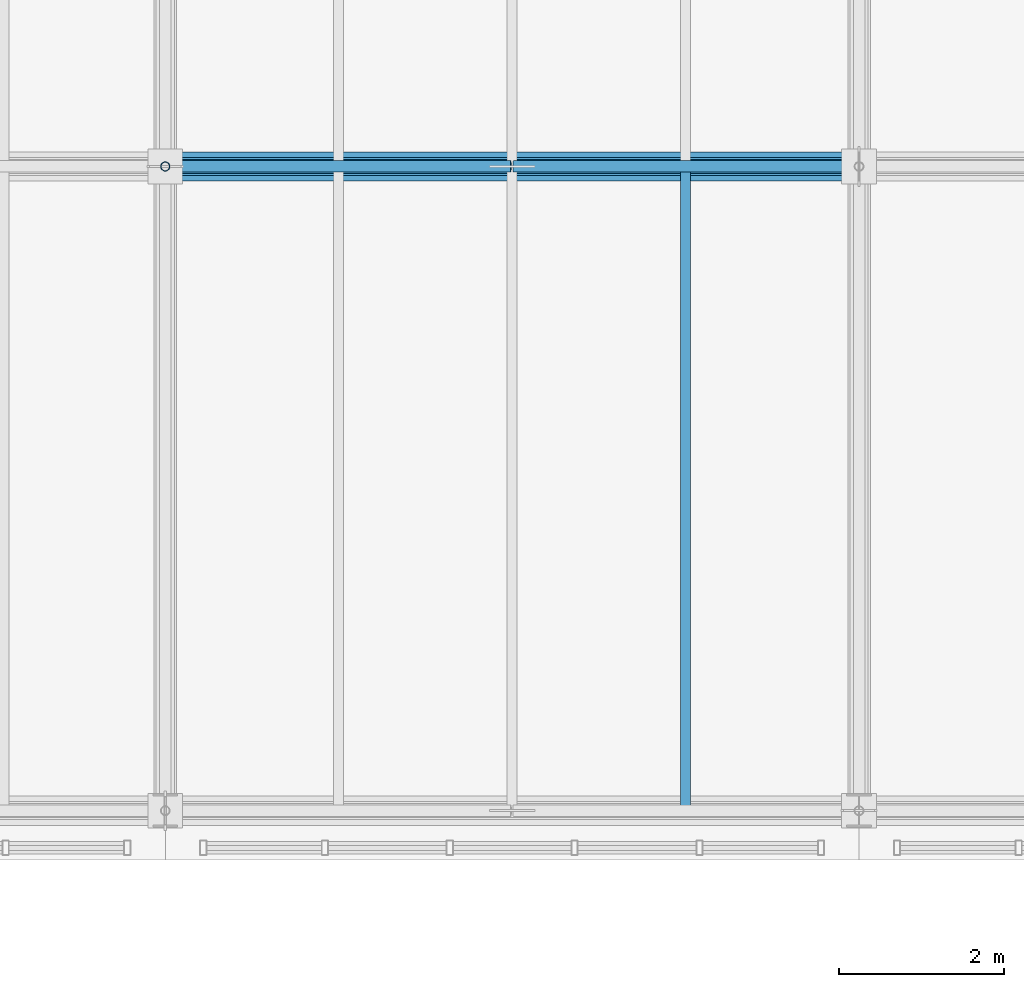
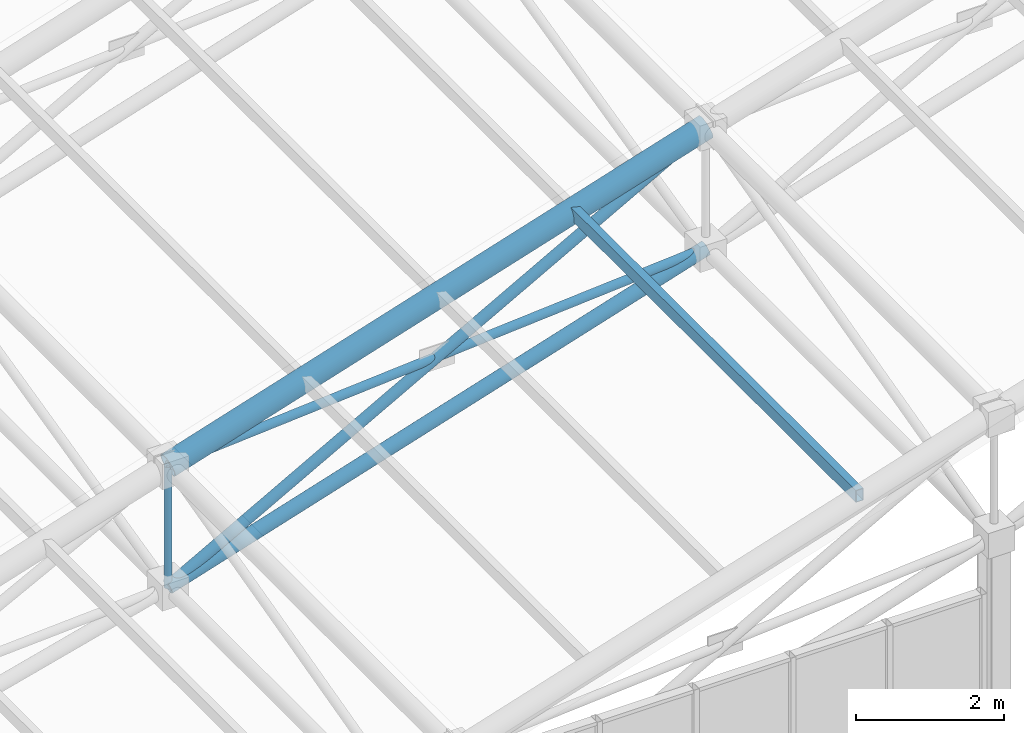
# One storey, part 30 of 144: 7 members.
"""IFC4 building model written with IfcOpenShell, lengths in metres."""

from ifc_helpers import new_model, si_unit, direction, frame, origin, origin_2d, place, context, subcontext, project, spatial, hollow_rectangle, hollow_circle, extrude, material, material_profile, profile_set, type_object, element, save


model = new_model("IFC4")

# Units and contexts
model_context = context("Model", 3, precision=1e-05, world=origin(), true_north=direction((0.0, 1.0)))
body_context = subcontext(model_context, "Body", "Model", "MODEL_VIEW")
ifc_project = project(units=[si_unit("LENGTHUNIT", "METRE"), si_unit("AREAUNIT", "SQUARE_METRE"), si_unit("VOLUMEUNIT", "CUBIC_METRE"), si_unit("PLANEANGLEUNIT", "RADIAN"), si_unit("MASSUNIT", "GRAM", prefix="KILO")], contexts=[model_context])

# Site, building, storey
site_placement = place(None, origin())
site = spatial("IfcSite", under=ifc_project, at=site_placement, CompositionType="ELEMENT")
building_placement = place(site_placement, origin())
building = spatial("IfcBuilding", under=site, at=building_placement, Name="Zayran Congress Hotel", CompositionType="ELEMENT")
storey_placement = place(building_placement, frame((0.0, 0.0, 19.199951171875)))
storey = spatial("IfcBuildingStorey", under=building, at=storey_placement, Name="L04", CompositionType="ELEMENT", Elevation=19.199951171875)

# Members
ifc_material = material(Name="Steel S355", Category="steel")
ifc_material_profile_1 = material_profile(ifc_material, hollow_circle(Radius=0.177734375, WallThickness=0.01611328125, at=origin_2d()), Name="CHS 355.6x16")
ifc_profile_set_1 = profile_set([ifc_material_profile_1], Name="Steel S355")
member_type_1 = type_object("IfcMemberType", Name="TP-SF-TC1", PredefinedType="CHORD", material=ifc_profile_set_1)
member_1_placement = place(storey_placement, frame((16.800048828125, 76.0, 4.652099609375), z_axis=(0.953670596398, 0.0, 0.300852777228), x_axis=(0.0, 1.0, 0.0)))
element("IfcMember", 1, at=member_1_placement, inside=storey, type_object=member_type_1, Name="Space Frame Top Chord X 68", PredefinedType="CHORD", context=body_context, shape_type="SweptSolid", body=[
    extrude(hollow_circle(Radius=0.177734375, WallThickness=0.01611328125, at=origin_2d()), origin(), (0.0, 0.0, 1.0), 8.807861328125),
])
ifc_material_profile_2 = material_profile(ifc_material, hollow_circle(Radius=0.109619140625, WallThickness=0.010009765625, at=origin_2d()), Name="CHS 219.1x10")
ifc_profile_set_2 = profile_set([ifc_material_profile_2], Name="Steel S355")
member_type_2 = type_object("IfcMemberType", Name="TP-SF-BC1", PredefinedType="CHORD", material=ifc_profile_set_2)
member_2_placement = place(storey_placement, frame((16.800048828125, 76.0, 2.650146484375), z_axis=(0.953670596398, 0.0, 0.300852777228), x_axis=(0.0, 1.0, 0.0)))
element("IfcMember", 2, at=member_2_placement, inside=storey, type_object=member_type_2, Name="Space Frame Bottom Chord X 69", PredefinedType="CHORD", context=body_context, shape_type="SweptSolid", body=[
    extrude(hollow_circle(Radius=0.109619140625, WallThickness=0.010009765625, at=origin_2d()), origin(), (0.0, 0.0, 1.0), 8.807861328125),
])
ifc_material_profile_3 = material_profile(ifc_material, hollow_circle(Radius=0.084228515625, WallThickness=0.008056640625, at=origin_2d()), Name="CHS 168.3x8")
ifc_profile_set_3 = profile_set([ifc_material_profile_3], Name="Steel S355")
member_type_3 = type_object("IfcMemberType", Name="TP-SF-DG1", PredefinedType="BRACE", material=ifc_profile_set_3)
member_3_placement = place(storey_placement, frame((16.800048828125, 76.0, 2.650146484375), z_axis=(0.87480892947, 0.0, 0.484468096905), x_axis=(0.0, 1.0, 0.0)))
element("IfcMember", 3, at=member_3_placement, inside=storey, type_object=member_type_3, Name="Space Frame Web Diagonal X 70", PredefinedType="BRACE", context=body_context, shape_type="SweptSolid", body=[
    extrude(hollow_circle(Radius=0.084228515625, WallThickness=0.008056640625, at=origin_2d()), origin(), (0.0, 0.0, 1.0), 9.60205078125),
])
ifc_material_profile_4 = material_profile(ifc_material, hollow_circle(Radius=0.06982421875, WallThickness=0.00634765625, at=origin_2d()), Name="CHS 139.7x6.3")
ifc_profile_set_4 = profile_set([ifc_material_profile_4], Name="Steel S355")
member_type_4 = type_object("IfcMemberType", Name="TP-SF-DG2", PredefinedType="BRACE", material=ifc_profile_set_4)
for number, where, z_axis, x_axis, name in (
    (4, (16.800048828125, 76.0, 4.652099609375), (0.997039412202, 0.0, 0.076892200614), (0.0, 1.0, 0.0), "Space Frame Counter Diagonal X Upper 71"),
    (5, (21.014892578125, 76.0, 4.977294921875), (0.997039412202, 0.0, 0.076892200614), (0.0, 1.0, 0.0), "Space Frame Counter Diagonal X Lower 15"),
):
    element("IfcMember", number, at=place(storey_placement, frame(where, z_axis=z_axis, x_axis=x_axis)), inside=storey, type_object=member_type_4, Name=name, PredefinedType="BRACE", context=body_context, shape_type="SweptSolid", body=[
        extrude(hollow_circle(Radius=0.06982421875, WallThickness=0.00634765625, at=origin_2d()), origin(), (0.0, 0.0, 1.0), 4.197509765625),
    ])
ifc_material_profile_5 = material_profile(ifc_material, hollow_circle(Radius=0.05712890625, WallThickness=0.00634765625, at=origin_2d()), Name="CHS 114.3x6.3")
ifc_profile_set_5 = profile_set([ifc_material_profile_5], Name="Steel S355")
member_type_5 = type_object("IfcMemberType", Name="TP-SF-DG3", PredefinedType="BRACE", material=ifc_profile_set_5)
member_4_placement = place(storey_placement, frame((16.800048828125, 76.0, 2.650146484375), z_axis=(0.0, 0.0, 1.0), x_axis=(0.0, 1.0, 0.0)))
element("IfcMember", 6, at=member_4_placement, inside=storey, type_object=member_type_5, Name="Space Frame Web Strut 75", PredefinedType="BRACE", context=body_context, shape_type="SweptSolid", body=[
    extrude(hollow_circle(Radius=0.05712890625, WallThickness=0.00634765625, at=origin_2d()), origin(), (0.0, 0.0, 1.0), 2.001953125),
])
ifc_material_profile_6 = material_profile(ifc_material, hollow_rectangle(XDim=0.1201171875, YDim=0.199951171875, WallThickness=0.008056640625, at=origin_2d()), Name="RHS 200x120x8")
ifc_profile_set_6 = profile_set([ifc_material_profile_6], Name="Steel S355")
member_type_6 = type_object("IfcMemberType", Name="TP-PR-01", PredefinedType="PURLIN", material=ifc_profile_set_6)
member_5_placement = place(storey_placement, frame((23.10009765625, 68.199951171875, 6.681640625), z_axis=(0.0, 1.0, 0.0), x_axis=(-1.0, 0.0, 0.0)))
element("IfcMember", 7, at=member_5_placement, inside=storey, type_object=member_type_6, Name="MEM-PR-V1-0031", PredefinedType="PURLIN", context=body_context, shape_type="SweptSolid", body=[
    extrude(hollow_rectangle(XDim=0.1201171875, YDim=0.199951171875, WallThickness=0.008056640625, at=origin_2d()), origin(), (0.0, 0.0, 1.0), 7.800048828125),
])

save(model, "model.ifc")
